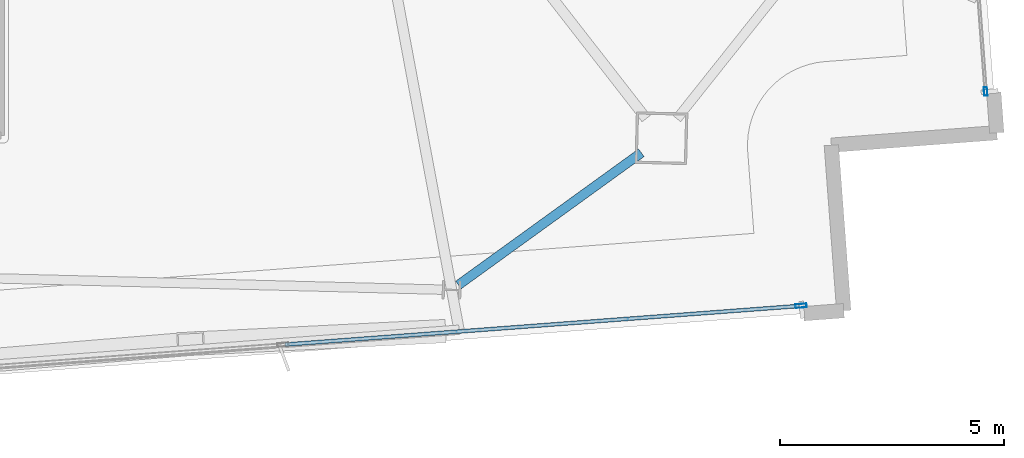
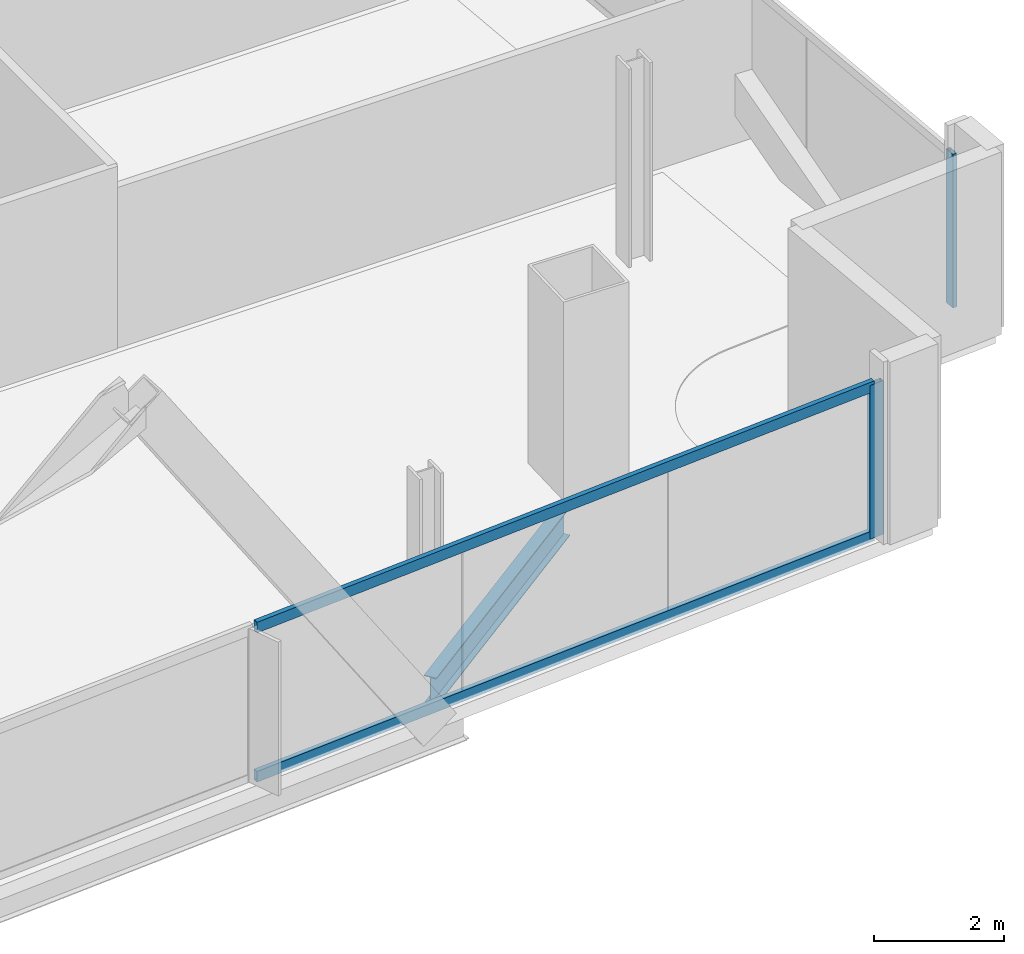
# One storey, part 8 of 23: 4 members, 1 beam, 2 elements without a shape of their own.
"""IFC4 building model written with IfcOpenShell, lengths in metres."""

from ifc_helpers import new_model, si_unit, direction, frame, origin, origin_2d, place, context, subcontext, project, spatial, hollow_rectangle, i_section, extrude, material, material_profile, profile_set, type_object, element, aggregate, save


model = new_model("IFC4")

# Units and contexts
model_context = context("Model", 3, precision=1e-05, world=origin(), true_north=direction((0.0, 1.0)))
body_context = subcontext(model_context, "Body", "Model", "MODEL_VIEW")
ifc_project = project(units=[si_unit("LENGTHUNIT", "METRE"), si_unit("AREAUNIT", "SQUARE_METRE"), si_unit("VOLUMEUNIT", "CUBIC_METRE"), si_unit("PLANEANGLEUNIT", "RADIAN"), si_unit("MASSUNIT", "GRAM", prefix="KILO")], contexts=[model_context])

# Site, building, storey
site_placement = place(None, origin())
site = spatial("IfcSite", under=ifc_project, at=site_placement, CompositionType="ELEMENT")
building_placement = place(site_placement, origin())
building = spatial("IfcBuilding", under=site, at=building_placement, Name="Haldenkirk Collegiate Tower", CompositionType="ELEMENT")
storey_placement = place(building_placement, frame((0.0, 0.0, 343.949951171875)))
storey = spatial("IfcBuildingStorey", under=building, at=storey_placement, Name="L87", CompositionType="ELEMENT", Elevation=343.949951171875)

# Beam
ifc_material_1 = material(Name="Steel ASTM A992 Grade 50", Category="steel")
ifc_material_profile_1 = material_profile(ifc_material_1, i_section(OverallWidth=0.2099609375, OverallDepth=0.537109375, WebThickness=0.010986328125, FlangeThickness=0.017333984375, at=origin_2d()), Name="W21X68")
ifc_profile_set_1 = profile_set([ifc_material_profile_1], Name="Steel ASTM A992 Grade 50")
beam_type = type_object("IfcBeamType", Name="BM-SPANDREL-W21X68", PredefinedType="SPANDREL", material=ifc_profile_set_1)
beam_placement = place(storey_placement, frame((47.44921875, 5.767578125, -0.528564453125), z_axis=(0.810388642646, 0.585892693136, 0.0), x_axis=(-0.585892693136, 0.810388642646, 0.0)))
element("IfcBeam", 1, at=beam_placement, inside=storey, type_object=beam_type, Name="L87 perimeter spandrel beam 16", PredefinedType="SPANDREL", context=body_context, shape_type="SweptSolid", body=[
    extrude(i_section(OverallWidth=0.2099609375, OverallDepth=0.537109375, WebThickness=0.010986328125, FlangeThickness=0.017333984375, at=origin_2d()), origin(), (0.0, 0.0, 1.0), 5.03076171875),
])

# Curtain wall, member
ifc_material_2 = material(Name="Anodised architectural bronze aluminium", Category="aluminium")
curtain_wall_type_1 = type_object("IfcCurtainWallType", Name="CW-SYS2-CONCAVE", PredefinedType="USERDEFINED", material=ifc_material_2)
curtain_wall_1_placement = place(storey_placement, origin())
curtain_wall_1 = element("IfcCurtainWall", 2, at=curtain_wall_1_placement, inside=storey, type_object=curtain_wall_type_1, Name="L87 South concave recessed bronze-anodised curtain wall", ObjectType="UNITISED CURTAIN WALL", PredefinedType="USERDEFINED")
ifc_material_profile_2 = material_profile(ifc_material_2, hollow_rectangle(XDim=0.074951171875, YDim=0.18994140625, WallThickness=0.0048828125, at=origin_2d()), Name="CW-MUL-02")
ifc_profile_set_2 = profile_set([ifc_material_profile_2], Name="Anodised architectural bronze aluminium")
member_type_1 = type_object("IfcMemberType", Name="CW-MUL-02", PredefinedType="MULLION", material=ifc_profile_set_2)
member_1_placement = place(storey_placement, frame((59.203857421875, 10.08251953125, 0.0), z_axis=(0.0, 0.0, 1.0), x_axis=(0.997185231822, 0.074977419512, 0.0)))
member_1 = element("IfcMember", 3, at=member_1_placement, type_object=member_type_1, Name="CW-02 mullion 4", PredefinedType="MULLION", context=body_context, shape_type="SweptSolid", body=[
    extrude(hollow_rectangle(XDim=0.074951171875, YDim=0.18994140625, WallThickness=0.0048828125, at=origin_2d()), origin(), (0.0, 0.0, 1.0), 2.887939453125),
])
aggregate(curtain_wall_1, [member_1])

# Curtain wall, members
curtain_wall_type_2 = type_object("IfcCurtainWallType", Name="CW-SYS1B-CONVEX-HI", PredefinedType="USERDEFINED", material=ifc_material_2)
curtain_wall_2_placement = place(storey_placement, origin())
curtain_wall_2 = element("IfcCurtainWall", 4, at=curtain_wall_2_placement, inside=storey, type_object=curtain_wall_type_2, Name="L87 Upper tower high-wind convex bronze unitised curtain wall", ObjectType="UNITISED CURTAIN WALL", PredefinedType="USERDEFINED")
ifc_material_profile_3 = material_profile(ifc_material_2, hollow_rectangle(XDim=0.0849609375, YDim=0.25, WallThickness=0.0048828125, at=origin_2d()), Name="CW-MUL-1B")
ifc_profile_set_3 = profile_set([ifc_material_profile_3], Name="Anodised architectural bronze aluminium")
member_type_2 = type_object("IfcMemberType", Name="CW-MUL-1B", PredefinedType="MULLION", material=ifc_profile_set_3)
member_2_placement = place(storey_placement, frame((55.088134765625, 5.302978515625, 0.0), z_axis=(0.0, 0.0, 1.0), x_axis=(0.074976425073, -0.997185306592, 0.0)))
member_2 = element("IfcMember", 5, at=member_2_placement, type_object=member_type_2, Name="CW-1B mullion 1", PredefinedType="MULLION", context=body_context, shape_type="SweptSolid", body=[
    extrude(hollow_rectangle(XDim=0.0849609375, YDim=0.25, WallThickness=0.0048828125, at=origin_2d()), origin(), (0.0, 0.0, 1.0), 2.887939453125),
])
ifc_material_profile_4 = material_profile(ifc_material_2, hollow_rectangle(XDim=0.0849609375, YDim=0.199951171875, WallThickness=0.0048828125, at=origin_2d()), Name="CW-TRN-1B")
ifc_profile_set_4 = profile_set([ifc_material_profile_4], Name="Anodised architectural bronze aluminium")
member_type_3 = type_object("IfcMemberType", Name="CW-TRN-1B", PredefinedType="USERDEFINED", material=ifc_profile_set_4)
member_3_placement = place(storey_placement, frame((55.045654296875, 5.2998046875, 0.04248046875), z_axis=(-0.997185157859, -0.074978403194, 0.0), x_axis=(0.074978403194, -0.997185157859, 0.0)))
member_3 = element("IfcMember", 6, at=member_3_placement, type_object=member_type_3, Name="CW-1B transom 1.1", ObjectType="TRANSOM", PredefinedType="USERDEFINED", context=body_context, shape_type="SweptSolid", body=[
    extrude(hollow_rectangle(XDim=0.0849609375, YDim=0.199951171875, WallThickness=0.0048828125, at=origin_2d()), origin(), (0.0, 0.0, 1.0), 11.49755859375),
])
member_4_placement = place(storey_placement, frame((55.045654296875, 5.2998046875, 2.845458984375), z_axis=(-0.997185157859, -0.074978403194, 0.0), x_axis=(0.074978403194, -0.997185157859, 0.0)))
member_4 = element("IfcMember", 7, at=member_4_placement, type_object=member_type_3, Name="CW-1B transom 1.2", ObjectType="TRANSOM", PredefinedType="USERDEFINED", context=body_context, shape_type="SweptSolid", body=[
    extrude(hollow_rectangle(XDim=0.0849609375, YDim=0.199951171875, WallThickness=0.0048828125, at=origin_2d()), origin(), (0.0, 0.0, 1.0), 11.49755859375),
])
aggregate(curtain_wall_2, [member_2, member_3, member_4])

save(model, "model.ifc")
